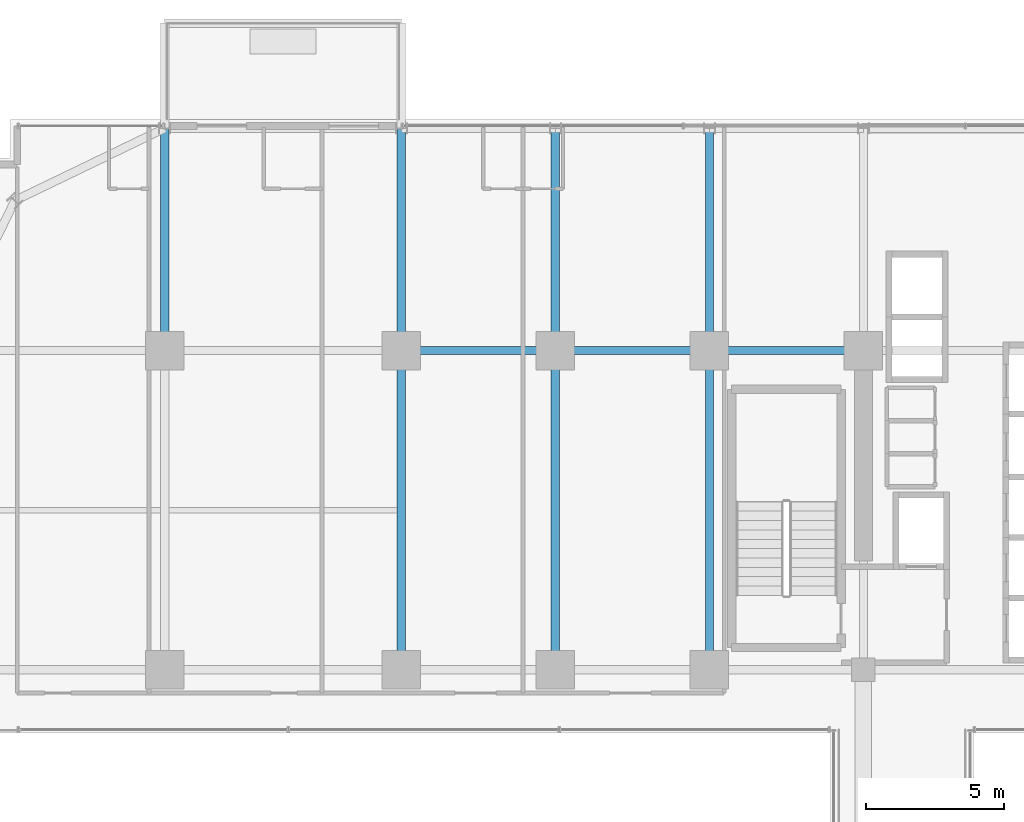
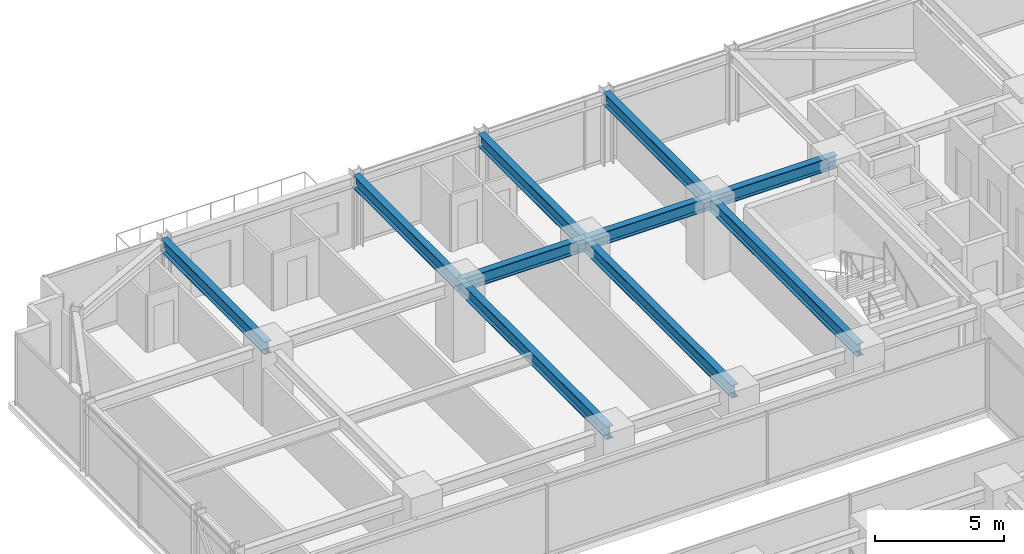
# One storey, part 26 of 41: 10 beams.
"""IFC4 building model written with IfcOpenShell, lengths in metres."""

from ifc_helpers import new_model, si_unit, direction, frame, origin, origin_2d, place, context, subcontext, project, spatial, i_section, extrude, source, transform, mapped, material, material_profile, profile_set, type_object, element, save


model = new_model("IFC4")

# Units and contexts
model_context = context("Model", 3, precision=1e-05, world=origin(), true_north=direction((0.0, 1.0)))
body_context = subcontext(model_context, "Body", "Model", "MODEL_VIEW")
ifc_project = project(units=[si_unit("LENGTHUNIT", "METRE"), si_unit("AREAUNIT", "SQUARE_METRE"), si_unit("VOLUMEUNIT", "CUBIC_METRE"), si_unit("PLANEANGLEUNIT", "RADIAN"), si_unit("MASSUNIT", "GRAM", prefix="KILO")], contexts=[model_context])

# Site, building, storey
site_placement = place(None, origin())
site = spatial("IfcSite", under=ifc_project, at=site_placement, CompositionType="ELEMENT")
building_placement = place(site_placement, origin())
building = spatial("IfcBuilding", under=site, at=building_placement, Name="Nahalor Promenade Grand Hotel", CompositionType="ELEMENT")
storey_placement = place(building_placement, frame((0.0, 0.0, 54.300048828125)))
storey = spatial("IfcBuildingStorey", under=building, at=storey_placement, Name="L12", CompositionType="ELEMENT", Elevation=54.300048828125)

# Beams
ifc_material = material(Name="Steel S355JR", Category="steel")
ifc_material_profile = material_profile(ifc_material, i_section(OverallWidth=0.3, OverallDepth=0.6, WebThickness=0.0155, FlangeThickness=0.03, at=origin_2d()), Name="HEB 600")
ifc_profile_set = profile_set([ifc_material_profile], Name="Steel S355JR")
beam_type = type_object("IfcBeamType", Name="Beam-Girder-HEB600", PredefinedType="BEAM", material=ifc_profile_set)
shared_shape_1 = source(origin(), body_context, "Body", "SweptSolid", [
    extrude(i_section(OverallWidth=0.3, OverallDepth=0.6, WebThickness=0.0155, FlangeThickness=0.03, at=origin_2d()), origin(), (0.0, 0.0, 1.0), 5.599853515625),
])
for number, where, z_axis, x_axis, name in (
    (1, (-8.39990234375, 17.0, 3.070068359375), (1.0, 0.0, 0.0), (0.0, 1.0, 0.0), "BM-L12-GX-3-2"),
    (2, (2.800048828125, 17.0, 3.070068359375), (1.0, 0.0, 0.0), (0.0, 1.0, 0.0), "BM-L12-GX-3-4"),
):
    element("IfcBeam", number, at=place(storey_placement, frame(where, z_axis=z_axis, x_axis=x_axis)), inside=storey, type_object=beam_type, Name=name, PredefinedType="BEAM", context=body_context, shape_type="MappedRepresentation", body=[
        mapped(shared_shape_1, transform((0.0, 0.0, 0.0), scale=1.0)),
    ])
shared_shape_2 = source(origin(), body_context, "Body", "SweptSolid", [
    extrude(i_section(OverallWidth=0.3, OverallDepth=0.6, WebThickness=0.0155, FlangeThickness=0.03, at=origin_2d()), origin(), (0.0, 0.0, 1.0), 5.60009765625),
])
beam_placement = place(storey_placement, frame((-2.800048828125, 17.0, 3.070068359375), z_axis=(1.0, 0.0, 0.0), x_axis=(0.0, 1.0, 0.0)))
element("IfcBeam", 3, at=beam_placement, inside=storey, type_object=beam_type, Name="BM-L12-GX-3-3", PredefinedType="BEAM", context=body_context, shape_type="MappedRepresentation", body=[
    mapped(shared_shape_2, transform((0.0, 0.0, 0.0), scale=1.0)),
])
shared_shape_3 = source(origin(), body_context, "Body", "SweptSolid", [
    extrude(i_section(OverallWidth=0.3, OverallDepth=0.6, WebThickness=0.0155, FlangeThickness=0.03, at=origin_2d()), origin(), (0.0, 0.0, 1.0), 11.60009765625),
])
for number, where, z_axis, x_axis, name in (
    (4, (-8.39990234375, 5.39990234375, 3.070068359375), (0.0, 1.0, 0.0), (-1.0, 0.0, 0.0), "BM-L12-GY-1-3"),
    (5, (-2.800048828125, 5.39990234375, 3.070068359375), (0.0, 1.0, 0.0), (-1.0, 0.0, 0.0), "BM-L12-GY-2-3"),
    (6, (2.800048828125, 5.39990234375, 3.070068359375), (0.0, 1.0, 0.0), (-1.0, 0.0, 0.0), "BM-L12-GY-3-3"),
):
    element("IfcBeam", number, at=place(storey_placement, frame(where, z_axis=z_axis, x_axis=x_axis)), inside=storey, type_object=beam_type, Name=name, PredefinedType="BEAM", context=body_context, shape_type="MappedRepresentation", body=[
        mapped(shared_shape_3, transform((0.0, 0.0, 0.0), scale=1.0)),
    ])
shared_shape_4 = source(origin(), body_context, "Body", "SweptSolid", [
    extrude(i_section(OverallWidth=0.3, OverallDepth=0.6, WebThickness=0.0155, FlangeThickness=0.03, at=origin_2d()), origin(), (0.0, 0.0, 1.0), 8.080078125),
])
for number, where, z_axis, x_axis, name in (
    (7, (-17.0, 17.0, 3.070068359375), (0.0, 1.0, 0.0), (-1.0, 0.0, 0.0), "BM-L12-GY-0-4"),
    (8, (-8.39990234375, 17.0, 3.070068359375), (0.0, 1.0, 0.0), (-1.0, 0.0, 0.0), "BM-L12-GY-1-4"),
    (9, (-2.800048828125, 17.0, 3.070068359375), (0.0, 1.0, 0.0), (-1.0, 0.0, 0.0), "BM-L12-GY-2-4"),
    (10, (2.800048828125, 17.0, 3.070068359375), (0.0, 1.0, 0.0), (-1.0, 0.0, 0.0), "BM-L12-GY-3-4"),
):
    element("IfcBeam", number, at=place(storey_placement, frame(where, z_axis=z_axis, x_axis=x_axis)), inside=storey, type_object=beam_type, Name=name, PredefinedType="BEAM", context=body_context, shape_type="MappedRepresentation", body=[
        mapped(shared_shape_4, transform((0.0, 0.0, 0.0), scale=1.0)),
    ])

save(model, "model.ifc")
